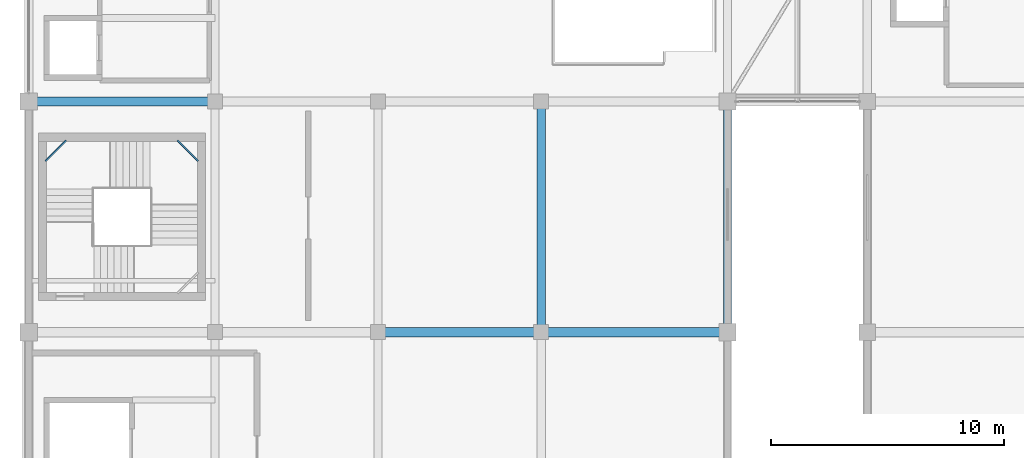
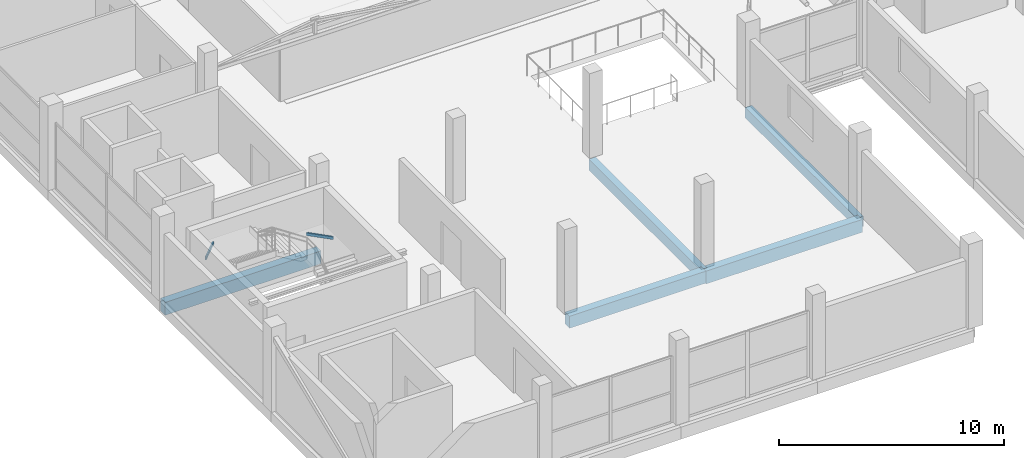
# One storey, part 5 of 69: 7 beams.
"""IFC4 building model written with IfcOpenShell, lengths in metres."""

from ifc_helpers import new_model, si_unit, direction, frame, origin, origin_2d, place, context, subcontext, project, spatial, rectangle, hollow_rectangle, extrude, material, material_profile, profile_set, type_object, element, save


model = new_model("IFC4")

# Units and contexts
model_context = context("Model", 3, precision=1e-05, world=origin(), true_north=direction((0.0, 1.0)))
body_context = subcontext(model_context, "Body", "Model", "MODEL_VIEW")
ifc_project = project(units=[si_unit("LENGTHUNIT", "METRE"), si_unit("AREAUNIT", "SQUARE_METRE"), si_unit("VOLUMEUNIT", "CUBIC_METRE"), si_unit("PLANEANGLEUNIT", "RADIAN"), si_unit("MASSUNIT", "GRAM", prefix="KILO")], contexts=[model_context])

# Site, building, storey
site_placement = place(None, origin())
site = spatial("IfcSite", under=ifc_project, at=site_placement, CompositionType="ELEMENT")
building_placement = place(site_placement, origin())
building = spatial("IfcBuilding", under=site, at=building_placement, Name="Sillaruma Civic Art Gallery", CompositionType="ELEMENT")
storey_placement = place(building_placement, frame((0.0, 0.0, 42.330078125)))
storey = spatial("IfcBuildingStorey", under=building, at=storey_placement, Name="L08", CompositionType="ELEMENT", Elevation=42.330078125)

# Beams
ifc_material_1 = material(Name="Concrete H35 (35 MPa)", Category="concrete")
ifc_material_profile_1 = material_profile(ifc_material_1, rectangle(XDim=0.35009765625, YDim=0.60009765625, at=origin_2d()), Name="RCB350x600")
ifc_profile_set_1 = profile_set([ifc_material_profile_1], Name="Concrete H35 (35 MPa)")
beam_type_1 = type_object("IfcBeamType", Name="BM-BEAM-RCB350x600", PredefinedType="BEAM", material=ifc_profile_set_1)
beam_1_placement = place(storey_placement, frame((84.0, 29.699951171875, -0.580078125), z_axis=(0.0, 1.0, 0.0), x_axis=(-1.0, 0.0, 0.0)))
element("IfcBeam", 1, at=beam_1_placement, inside=storey, type_object=beam_type_1, Name="Beam BM-06 (L07:J:4-5)", PredefinedType="BEAM", context=body_context, shape_type="SweptSolid", body=[
    extrude(rectangle(XDim=0.35009765625, YDim=0.60009765625, at=origin_2d()), origin(), (0.0, 0.0, 1.0), 9.900146484375),
])
ifc_material_profile_2 = material_profile(ifc_material_1, rectangle(XDim=0.39990234375, YDim=0.64990234375, at=origin_2d()), Name="RCB400x650")
ifc_profile_set_2 = profile_set([ifc_material_profile_2], Name="Concrete H35 (35 MPa)")
beam_type_2 = type_object("IfcBeamType", Name="BM-BEAM-RCB400x650", PredefinedType="BEAM", material=ifc_profile_set_2)
beam_2_placement = place(storey_placement, frame((77.0, 29.699951171875, -0.60498046875), z_axis=(1.0, 0.0, 0.0), x_axis=(0.0, 1.0, 0.0)))
element("IfcBeam", 2, at=beam_2_placement, inside=storey, type_object=beam_type_2, Name="Beam BM-05 (L07:4:H-J)", PredefinedType="BEAM", context=body_context, shape_type="SweptSolid", body=[
    extrude(rectangle(XDim=0.39990234375, YDim=0.64990234375, at=origin_2d()), origin(), (0.0, 0.0, 1.0), 7.0),
])
ifc_material_profile_3 = material_profile(ifc_material_1, rectangle(XDim=0.39990234375, YDim=0.699951171875, at=origin_2d()), Name="RCB400x700")
ifc_profile_set_3 = profile_set([ifc_material_profile_3], Name="Concrete H35 (35 MPa)")
beam_type_3 = type_object("IfcBeamType", Name="BM-BEAM-RCB400x700", PredefinedType="BEAM", material=ifc_profile_set_3)
for number, where, z_axis, x_axis, name in (
    (3, (84.0, 29.699951171875, -0.630126953125), (1.0, 0.0, 0.0), (0.0, 1.0, 0.0), "Beam BM-04 (L07:4:J-K)"),
    (4, (62.0, 39.60009765625, -0.630126953125), (1.0, 0.0, 0.0), (0.0, 1.0, 0.0), "Beam BM-04 (L07:5:F-G)"),
):
    element("IfcBeam", number, at=place(storey_placement, frame(where, z_axis=z_axis, x_axis=x_axis)), inside=storey, type_object=beam_type_3, Name=name, PredefinedType="BEAM", context=body_context, shape_type="SweptSolid", body=[
        extrude(rectangle(XDim=0.39990234375, YDim=0.699951171875, at=origin_2d()), origin(), (0.0, 0.0, 1.0), 8.0),
    ])
ifc_material_2 = material(Name="Structural Steel ASTM A500 Gr.C", Category="steel")
ifc_material_profile_4 = material_profile(ifc_material_2, hollow_rectangle(XDim=0.080078125, YDim=0.159912109375, WallThickness=0.008056640625, InnerFilletRadius=0.008056640625, OuterFilletRadius=0.01611328125, at=origin_2d()), Name="HSS160x80x8")
ifc_profile_set_4 = profile_set([ifc_material_profile_4], Name="Structural Steel ASTM A500 Gr.C")
beam_type_4 = type_object("IfcBeamType", Name="BM-LND-HSS160", PredefinedType="BEAM", material=ifc_profile_set_4)
for number, where, z_axis, x_axis, name in (
    (5, (68.389892578125, 37.929931640625, 2.099853515625), (0.707203758046, -0.707009791025, 0.0), (0.707009791025, 0.707203758046, 0.0), "Stair Corner Landing Trimmer Beam (ST-03-L08-2)"),
    (6, (62.719970703125, 37.0400390625, 3.2900390625), (0.707203758046, 0.707009791025, 0.0), (-0.707009791025, 0.707203758046, 0.0), "Stair Corner Landing Trimmer Beam (ST-03-L08-3)"),
):
    element("IfcBeam", number, at=place(storey_placement, frame(where, z_axis=z_axis, x_axis=x_axis)), inside=storey, type_object=beam_type_4, Name=name, PredefinedType="BEAM", context=body_context, shape_type="SweptSolid", body=[
        extrude(hollow_rectangle(XDim=0.080078125, YDim=0.159912109375, WallThickness=0.008056640625, InnerFilletRadius=0.008056640625, OuterFilletRadius=0.01611328125, at=origin_2d()), origin(), (0.0, 0.0, 1.0), 1.2587890625),
    ])
ifc_material_profile_5 = material_profile(ifc_material_1, rectangle(XDim=0.35009765625, YDim=0.550048828125, at=origin_2d()), Name="RCB350x550")
ifc_profile_set_5 = profile_set([ifc_material_profile_5], Name="Concrete H35 (35 MPa)")
beam_type_5 = type_object("IfcBeamType", Name="BM-SPANDREL-RCB350x550", PredefinedType="SPANDREL", material=ifc_profile_set_5)
beam_3_placement = place(storey_placement, frame((92.0, 29.699951171875, -0.55517578125), z_axis=(0.0, 1.0, 0.0), x_axis=(-1.0, 0.0, 0.0)))
element("IfcBeam", 7, at=beam_3_placement, inside=storey, type_object=beam_type_5, Name="Beam BS-04 (L07:K:4-5)", PredefinedType="SPANDREL", context=body_context, shape_type="SweptSolid", body=[
    extrude(rectangle(XDim=0.35009765625, YDim=0.550048828125, at=origin_2d()), origin(), (0.0, 0.0, 1.0), 9.900146484375),
])

save(model, "model.ifc")
